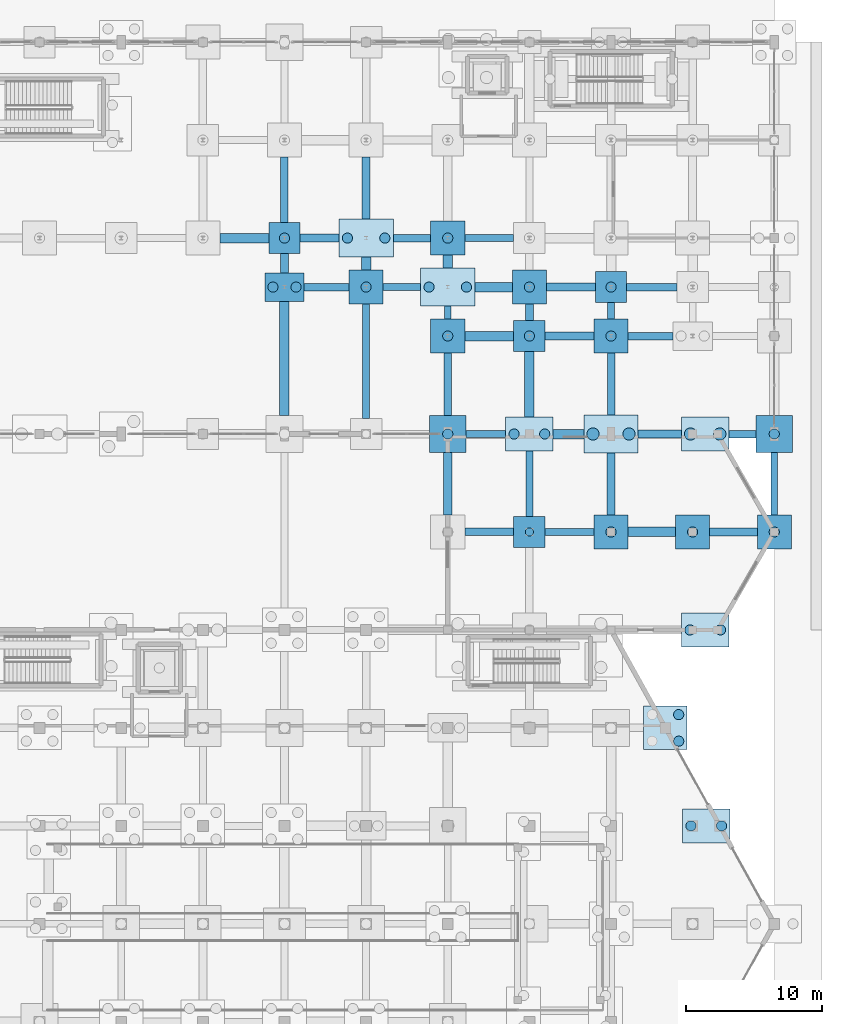
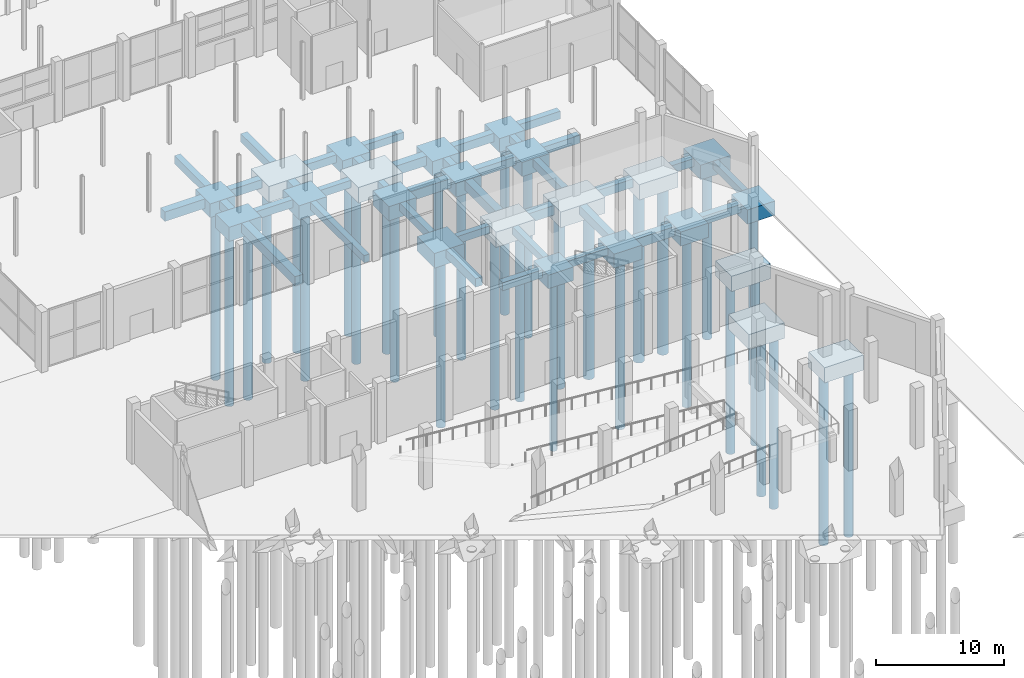
# One storey, part 11 of 103: 60 footings, 32 piles.
"""IFC4 building model written with IfcOpenShell, lengths in metres."""

from ifc_helpers import new_model, si_unit, direction, frame, origin, origin_2d, place, context, subcontext, project, spatial, rectangle, circle, extrude, material, material_profile, profile_set, type_object, element, save


model = new_model("IFC4")

# Units and contexts
model_context = context("Model", 3, precision=1e-05, world=origin(), true_north=direction((0.0, 1.0)))
body_context = subcontext(model_context, "Body", "Model", "MODEL_VIEW")
ifc_project = project(units=[si_unit("LENGTHUNIT", "METRE"), si_unit("AREAUNIT", "SQUARE_METRE"), si_unit("VOLUMEUNIT", "CUBIC_METRE"), si_unit("PLANEANGLEUNIT", "RADIAN"), si_unit("MASSUNIT", "GRAM", prefix="KILO")], contexts=[model_context])

# Site, building, storey
site_placement = place(None, origin())
site = spatial("IfcSite", under=ifc_project, at=site_placement, CompositionType="ELEMENT")
building_placement = place(site_placement, origin())
building = spatial("IfcBuilding", under=site, at=building_placement, Name="Dunvalen Ferry Terminal", CompositionType="ELEMENT")
storey_placement = place(building_placement, origin())
storey = spatial("IfcBuildingStorey", under=building, at=storey_placement, Name="L00", CompositionType="ELEMENT", Elevation=0.0)

# Footings
ifc_material = material(Name="Concrete C40/50", Category="concrete")
ifc_material_profile_1 = material_profile(ifc_material, rectangle(XDim=0.5, YDim=0.699951171875, at=origin_2d()), Name="Concrete C40/50")
ifc_profile_set_1 = profile_set([ifc_material_profile_1], Name="Concrete C40/50")
footing_type_1 = type_object("IfcFootingType", Name="STR-GB-500x700", PredefinedType="FOOTING_BEAM", material=ifc_profile_set_1)
footing_1_placement = place(storey_placement, frame((151.14990234375, 50.39990234375, -0.669921875), z_axis=(1.0, 0.0, 0.0), x_axis=(0.0, 1.0, 0.0)))
element("IfcFooting", 1, at=footing_1_placement, inside=storey, type_object=footing_type_1, Name="L00 Ground Beam X-203", PredefinedType="FOOTING_BEAM", context=body_context, shape_type="SweptSolid", body=[
    extrude(rectangle(XDim=0.5, YDim=0.699951171875, at=origin_2d()), origin(), (0.0, 0.0, 1.0), 3.60009765625),
])
footing_2_placement = place(storey_placement, frame((145.35009765625, 57.60009765625, -0.669921875), z_axis=(1.0, 0.0, 0.0), x_axis=(0.0, 1.0, 0.0)))
element("IfcFooting", 2, at=footing_2_placement, inside=storey, type_object=footing_type_1, Name="L00 Ground Beam X-223", PredefinedType="FOOTING_BEAM", context=body_context, shape_type="SweptSolid", body=[
    extrude(rectangle(XDim=0.5, YDim=0.699951171875, at=origin_2d()), origin(), (0.0, 0.0, 1.0), 2.89990234375),
])
footing_3_placement = place(storey_placement, frame((139.25, 68.39990234375, -0.669921875), z_axis=(1.0, 0.0, 0.0), x_axis=(0.0, 1.0, 0.0)))
element("IfcFooting", 3, at=footing_3_placement, inside=storey, type_object=footing_type_1, Name="L00 Ground Beam X-255", PredefinedType="FOOTING_BEAM", context=body_context, shape_type="SweptSolid", body=[
    extrude(rectangle(XDim=0.5, YDim=0.699951171875, at=origin_2d()), origin(), (0.0, 0.0, 1.0), 2.75),
])
footing_4_placement = place(storey_placement, frame((145.25, 72.0, -0.669921875), z_axis=(1.0, 0.0, 0.0), x_axis=(0.0, 1.0, 0.0)))
element("IfcFooting", 4, at=footing_4_placement, inside=storey, type_object=footing_type_1, Name="L00 Ground Beam X-283", PredefinedType="FOOTING_BEAM", context=body_context, shape_type="SweptSolid", body=[
    extrude(rectangle(XDim=0.5, YDim=0.699951171875, at=origin_2d()), origin(), (0.0, 0.0, 1.0), 3.60009765625),
])
footing_5_placement = place(storey_placement, frame((138.0, 58.75, -0.669921875), z_axis=(0.0, 1.0, 0.0), x_axis=(-1.0, 0.0, 0.0)))
element("IfcFooting", 5, at=footing_5_placement, inside=storey, type_object=footing_type_1, Name="L00 Ground Beam Y-495", PredefinedType="FOOTING_BEAM", context=body_context, shape_type="SweptSolid", body=[
    extrude(rectangle(XDim=0.5, YDim=0.699951171875, at=origin_2d()), origin(), (0.0, 0.0, 1.0), 8.39990234375),
])
footing_6_placement = place(storey_placement, frame((144.0, 66.050048828125, -0.669921875), z_axis=(0.0, 1.0, 0.0), x_axis=(-1.0, 0.0, 0.0)))
element("IfcFooting", 6, at=footing_6_placement, inside=storey, type_object=footing_type_1, Name="L00 Ground Beam Y-507", PredefinedType="FOOTING_BEAM", context=body_context, shape_type="SweptSolid", body=[
    extrude(rectangle(XDim=0.5, YDim=0.699951171875, at=origin_2d()), origin(), (0.0, 0.0, 1.0), 0.949951171875),
])
footing_7_placement = place(storey_placement, frame((150.0, 51.550048828125, -0.669921875), z_axis=(0.0, 1.0, 0.0), x_axis=(-1.0, 0.0, 0.0)))
element("IfcFooting", 7, at=footing_7_placement, inside=storey, type_object=footing_type_1, Name="L00 Ground Beam Y-515", PredefinedType="FOOTING_BEAM", context=body_context, shape_type="SweptSolid", body=[
    extrude(rectangle(XDim=0.5, YDim=0.699951171875, at=origin_2d()), origin(), (0.0, 0.0, 1.0), 4.800048828125),
])
footing_8_placement = place(storey_placement, frame((156.0, 66.050048828125, -0.669921875), z_axis=(0.0, 1.0, 0.0), x_axis=(-1.0, 0.0, 0.0)))
element("IfcFooting", 8, at=footing_8_placement, inside=storey, type_object=footing_type_1, Name="L00 Ground Beam Y-527", PredefinedType="FOOTING_BEAM", context=body_context, shape_type="SweptSolid", body=[
    extrude(rectangle(XDim=0.5, YDim=0.699951171875, at=origin_2d()), origin(), (0.0, 0.0, 1.0), 1.199951171875),
])
footing_9_placement = place(storey_placement, frame((168.0, 51.64990234375, -0.669921875), z_axis=(0.0, 1.0, 0.0), x_axis=(-1.0, 0.0, 0.0)))
element("IfcFooting", 9, at=footing_9_placement, inside=storey, type_object=footing_type_1, Name="L00 Ground Beam Y-535", PredefinedType="FOOTING_BEAM", context=body_context, shape_type="SweptSolid", body=[
    extrude(rectangle(XDim=0.5, YDim=0.699951171875, at=origin_2d()), origin(), (0.0, 0.0, 1.0), 4.60009765625),
])
ifc_material_profile_2 = material_profile(ifc_material, rectangle(XDim=0.550048828125, YDim=0.75, at=origin_2d()), Name="Concrete C40/50")
ifc_profile_set_2 = profile_set([ifc_material_profile_2], Name="Concrete C40/50")
footing_type_2 = type_object("IfcFootingType", Name="STR-GB-550x750", PredefinedType="FOOTING_BEAM", material=ifc_profile_set_2)
footing_10_placement = place(storey_placement, frame((145.25, 50.39990234375, -0.695068359375), z_axis=(1.0, 0.0, 0.0), x_axis=(0.0, 1.0, 0.0)))
element("IfcFooting", 10, at=footing_10_placement, inside=storey, type_object=footing_type_2, Name="L00 Ground Beam X-202", PredefinedType="FOOTING_BEAM", context=body_context, shape_type="SweptSolid", body=[
    extrude(rectangle(XDim=0.550048828125, YDim=0.75, at=origin_2d()), origin(), (0.0, 0.0, 1.0), 3.60009765625),
])
footing_11_placement = place(storey_placement, frame((164.67138671875, 57.60009765625, -0.695068359375), z_axis=(1.0, 0.0, 0.0), x_axis=(0.0, 1.0, 0.0)))
element("IfcFooting", 11, at=footing_11_placement, inside=storey, type_object=footing_type_2, Name="L00 Ground Beam X-226", PredefinedType="FOOTING_BEAM", context=body_context, shape_type="SweptSolid", body=[
    extrude(rectangle(XDim=0.550048828125, YDim=0.75, at=origin_2d()), origin(), (0.0, 0.0, 1.0), 1.978515625),
])
for number, where, z_axis, x_axis, name in (
    (12, (157.25, 64.800048828125, -0.695068359375), (1.0, 0.0, 0.0), (0.0, 1.0, 0.0), "L00 Ground Beam X-246"),
    (13, (133.449951171875, 68.39990234375, -0.695068359375), (1.0, 0.0, 0.0), (0.0, 1.0, 0.0), "L00 Ground Beam X-254"),
):
    element("IfcFooting", number, at=place(storey_placement, frame(where, z_axis=z_axis, x_axis=x_axis)), inside=storey, type_object=footing_type_2, Name=name, PredefinedType="FOOTING_BEAM", context=body_context, shape_type="SweptSolid", body=[
        extrude(rectangle(XDim=0.550048828125, YDim=0.75, at=origin_2d()), origin(), (0.0, 0.0, 1.0), 3.300048828125),
    ])
footing_12_placement = place(storey_placement, frame((157.14990234375, 68.39990234375, -0.695068359375), z_axis=(1.0, 0.0, 0.0), x_axis=(0.0, 1.0, 0.0)))
element("IfcFooting", 14, at=footing_12_placement, inside=storey, type_object=footing_type_2, Name="L00 Ground Beam X-258", PredefinedType="FOOTING_BEAM", context=body_context, shape_type="SweptSolid", body=[
    extrude(rectangle(XDim=0.550048828125, YDim=0.75, at=origin_2d()), origin(), (0.0, 0.0, 1.0), 3.7001953125),
])
footing_13_placement = place(storey_placement, frame((140.0, 72.0, -0.695068359375), z_axis=(1.0, 0.0, 0.0), x_axis=(0.0, 1.0, 0.0)))
element("IfcFooting", 15, at=footing_13_placement, inside=storey, type_object=footing_type_2, Name="L00 Ground Beam X-282", PredefinedType="FOOTING_BEAM", context=body_context, shape_type="SweptSolid", body=[
    extrude(rectangle(XDim=0.550048828125, YDim=0.75, at=origin_2d()), origin(), (0.0, 0.0, 1.0), 2.75),
])
footing_14_placement = place(storey_placement, frame((132.0, 73.14990234375, -0.695068359375), z_axis=(0.0, 1.0, 0.0), x_axis=(-1.0, 0.0, 0.0)))
element("IfcFooting", 16, at=footing_14_placement, inside=storey, type_object=footing_type_2, Name="L00 Ground Beam Y-486", PredefinedType="FOOTING_BEAM", context=body_context, shape_type="SweptSolid", body=[
    extrude(rectangle(XDim=0.550048828125, YDim=0.75, at=origin_2d()), origin(), (0.0, 0.0, 1.0), 4.800048828125),
])
footing_15_placement = place(storey_placement, frame((144.0, 58.949951171875, -0.695068359375), z_axis=(0.0, 1.0, 0.0), x_axis=(-1.0, 0.0, 0.0)))
element("IfcFooting", 17, at=footing_15_placement, inside=storey, type_object=footing_type_2, Name="L00 Ground Beam Y-506", PredefinedType="FOOTING_BEAM", context=body_context, shape_type="SweptSolid", body=[
    extrude(rectangle(XDim=0.550048828125, YDim=0.75, at=origin_2d()), origin(), (0.0, 0.0, 1.0), 4.60009765625),
])
footing_16_placement = place(storey_placement, frame((156.0, 59.0, -0.695068359375), z_axis=(0.0, 1.0, 0.0), x_axis=(-1.0, 0.0, 0.0)))
element("IfcFooting", 18, at=footing_16_placement, inside=storey, type_object=footing_type_2, Name="L00 Ground Beam Y-526", PredefinedType="FOOTING_BEAM", context=body_context, shape_type="SweptSolid", body=[
    extrude(rectangle(XDim=0.550048828125, YDim=0.75, at=origin_2d()), origin(), (0.0, 0.0, 1.0), 4.550048828125),
])
ifc_material_profile_3 = material_profile(ifc_material, rectangle(XDim=0.60009765625, YDim=0.800048828125, at=origin_2d()), Name="Concrete C40/50")
ifc_profile_set_3 = profile_set([ifc_material_profile_3], Name="Concrete C40/50")
footing_type_3 = type_object("IfcFootingType", Name="STR-GB-600x800", PredefinedType="FOOTING_BEAM", material=ifc_profile_set_3)
footing_17_placement = place(storey_placement, frame((163.25, 50.39990234375, -0.719970703125), z_axis=(1.0, 0.0, 0.0), x_axis=(0.0, 1.0, 0.0)))
element("IfcFooting", 19, at=footing_17_placement, inside=storey, type_object=footing_type_3, Name="L00 Ground Beam X-205", PredefinedType="FOOTING_BEAM", context=body_context, shape_type="SweptSolid", body=[
    extrude(rectangle(XDim=0.60009765625, YDim=0.800048828125, at=origin_2d()), origin(), (0.0, 0.0, 1.0), 3.5),
])
footing_18_placement = place(storey_placement, frame((158.0, 57.60009765625, -0.719970703125), z_axis=(1.0, 0.0, 0.0), x_axis=(0.0, 1.0, 0.0)))
element("IfcFooting", 20, at=footing_18_placement, inside=storey, type_object=footing_type_3, Name="L00 Ground Beam X-225", PredefinedType="FOOTING_BEAM", context=body_context, shape_type="SweptSolid", body=[
    extrude(rectangle(XDim=0.60009765625, YDim=0.800048828125, at=origin_2d()), origin(), (0.0, 0.0, 1.0), 3.17138671875),
])
for number, where, z_axis, x_axis, name in (
    (21, (151.14990234375, 64.800048828125, -0.719970703125), (1.0, 0.0, 0.0), (0.0, 1.0, 0.0), "L00 Ground Beam X-245"),
    (22, (151.25, 68.39990234375, -0.719970703125), (1.0, 0.0, 0.0), (0.0, 1.0, 0.0), "L00 Ground Beam X-257"),
):
    element("IfcFooting", number, at=place(storey_placement, frame(where, z_axis=z_axis, x_axis=x_axis)), inside=storey, type_object=footing_type_3, Name=name, PredefinedType="FOOTING_BEAM", context=body_context, shape_type="SweptSolid", body=[
        extrude(rectangle(XDim=0.60009765625, YDim=0.800048828125, at=origin_2d()), origin(), (0.0, 0.0, 1.0), 3.60009765625),
    ])
footing_19_placement = place(storey_placement, frame((133.14990234375, 72.0, -0.719970703125), z_axis=(1.0, 0.0, 0.0), x_axis=(0.0, 1.0, 0.0)))
element("IfcFooting", 23, at=footing_19_placement, inside=storey, type_object=footing_type_3, Name="L00 Ground Beam X-281", PredefinedType="FOOTING_BEAM", context=body_context, shape_type="SweptSolid", body=[
    extrude(rectangle(XDim=0.60009765625, YDim=0.800048828125, at=origin_2d()), origin(), (0.0, 0.0, 1.0), 2.85009765625),
])
footing_20_placement = place(storey_placement, frame((132.0, 69.449951171875, -0.719970703125), z_axis=(0.0, 1.0, 0.0), x_axis=(-1.0, 0.0, 0.0)))
element("IfcFooting", 24, at=footing_20_placement, inside=storey, type_object=footing_type_3, Name="L00 Ground Beam Y-485", PredefinedType="FOOTING_BEAM", context=body_context, shape_type="SweptSolid", body=[
    extrude(rectangle(XDim=0.60009765625, YDim=0.800048828125, at=origin_2d()), origin(), (0.0, 0.0, 1.0), 1.400146484375),
])
footing_21_placement = place(storey_placement, frame((138.0, 73.39990234375, -0.719970703125), z_axis=(0.0, 1.0, 0.0), x_axis=(-1.0, 0.0, 0.0)))
element("IfcFooting", 25, at=footing_21_placement, inside=storey, type_object=footing_type_3, Name="L00 Ground Beam Y-497", PredefinedType="FOOTING_BEAM", context=body_context, shape_type="SweptSolid", body=[
    extrude(rectangle(XDim=0.60009765625, YDim=0.800048828125, at=origin_2d()), origin(), (0.0, 0.0, 1.0), 4.550048828125),
])
footing_22_placement = place(storey_placement, frame((144.0, 51.64990234375, -0.719970703125), z_axis=(0.0, 1.0, 0.0), x_axis=(-1.0, 0.0, 0.0)))
element("IfcFooting", 26, at=footing_22_placement, inside=storey, type_object=footing_type_3, Name="L00 Ground Beam Y-505", PredefinedType="FOOTING_BEAM", context=body_context, shape_type="SweptSolid", body=[
    extrude(rectangle(XDim=0.60009765625, YDim=0.800048828125, at=origin_2d()), origin(), (0.0, 0.0, 1.0), 4.60009765625),
])
footing_23_placement = place(storey_placement, frame((150.0, 65.949951171875, -0.719970703125), z_axis=(0.0, 1.0, 0.0), x_axis=(-1.0, 0.0, 0.0)))
element("IfcFooting", 27, at=footing_23_placement, inside=storey, type_object=footing_type_3, Name="L00 Ground Beam Y-517", PredefinedType="FOOTING_BEAM", context=body_context, shape_type="SweptSolid", body=[
    extrude(rectangle(XDim=0.60009765625, YDim=0.800048828125, at=origin_2d()), origin(), (0.0, 0.0, 1.0), 1.199951171875),
])
footing_24_placement = place(storey_placement, frame((156.0, 51.64990234375, -0.719970703125), z_axis=(0.0, 1.0, 0.0), x_axis=(-1.0, 0.0, 0.0)))
element("IfcFooting", 28, at=footing_24_placement, inside=storey, type_object=footing_type_3, Name="L00 Ground Beam Y-525", PredefinedType="FOOTING_BEAM", context=body_context, shape_type="SweptSolid", body=[
    extrude(rectangle(XDim=0.60009765625, YDim=0.800048828125, at=origin_2d()), origin(), (0.0, 0.0, 1.0), 4.550048828125),
])
ifc_material_profile_4 = material_profile(ifc_material, rectangle(XDim=0.699951171875, YDim=0.89990234375, at=origin_2d()), Name="Concrete C40/50")
ifc_profile_set_4 = profile_set([ifc_material_profile_4], Name="Concrete C40/50")
footing_type_4 = type_object("IfcFootingType", Name="STR-GB-700x900", PredefinedType="FOOTING_BEAM", material=ifc_profile_set_4)
footing_25_placement = place(storey_placement, frame((157.25, 50.39990234375, -0.77001953125), z_axis=(1.0, 0.0, 0.0), x_axis=(0.0, 1.0, 0.0)))
element("IfcFooting", 29, at=footing_25_placement, inside=storey, type_object=footing_type_4, Name="L00 Ground Beam X-204", PredefinedType="FOOTING_BEAM", context=body_context, shape_type="SweptSolid", body=[
    extrude(rectangle(XDim=0.699951171875, YDim=0.89990234375, at=origin_2d()), origin(), (0.0, 0.0, 1.0), 3.5),
])
footing_26_placement = place(storey_placement, frame((151.75, 57.60009765625, -0.77001953125), z_axis=(1.0, 0.0, 0.0), x_axis=(0.0, 1.0, 0.0)))
element("IfcFooting", 30, at=footing_26_placement, inside=storey, type_object=footing_type_4, Name="L00 Ground Beam X-224", PredefinedType="FOOTING_BEAM", context=body_context, shape_type="SweptSolid", body=[
    extrude(rectangle(XDim=0.699951171875, YDim=0.89990234375, at=origin_2d()), origin(), (0.0, 0.0, 1.0), 2.25),
])
footing_27_placement = place(storey_placement, frame((145.25, 64.800048828125, -0.77001953125), z_axis=(1.0, 0.0, 0.0), x_axis=(0.0, 1.0, 0.0)))
element("IfcFooting", 31, at=footing_27_placement, inside=storey, type_object=footing_type_4, Name="L00 Ground Beam X-244", PredefinedType="FOOTING_BEAM", context=body_context, shape_type="SweptSolid", body=[
    extrude(rectangle(XDim=0.699951171875, YDim=0.89990234375, at=origin_2d()), origin(), (0.0, 0.0, 1.0), 3.60009765625),
])
footing_28_placement = place(storey_placement, frame((146.0, 68.39990234375, -0.77001953125), z_axis=(1.0, 0.0, 0.0), x_axis=(0.0, 1.0, 0.0)))
element("IfcFooting", 32, at=footing_28_placement, inside=storey, type_object=footing_type_4, Name="L00 Ground Beam X-256", PredefinedType="FOOTING_BEAM", context=body_context, shape_type="SweptSolid", body=[
    extrude(rectangle(XDim=0.699951171875, YDim=0.89990234375, at=origin_2d()), origin(), (0.0, 0.0, 1.0), 2.75),
])
footing_29_placement = place(storey_placement, frame((127.25, 72.0, -0.77001953125), z_axis=(1.0, 0.0, 0.0), x_axis=(0.0, 1.0, 0.0)))
element("IfcFooting", 33, at=footing_29_placement, inside=storey, type_object=footing_type_4, Name="L00 Ground Beam X-280", PredefinedType="FOOTING_BEAM", context=body_context, shape_type="SweptSolid", body=[
    extrude(rectangle(XDim=0.699951171875, YDim=0.89990234375, at=origin_2d()), origin(), (0.0, 0.0, 1.0), 3.60009765625),
])
footing_30_placement = place(storey_placement, frame((132.0, 58.949951171875, -0.77001953125), z_axis=(0.0, 1.0, 0.0), x_axis=(-1.0, 0.0, 0.0)))
element("IfcFooting", 34, at=footing_30_placement, inside=storey, type_object=footing_type_4, Name="L00 Ground Beam Y-484", PredefinedType="FOOTING_BEAM", context=body_context, shape_type="SweptSolid", body=[
    extrude(rectangle(XDim=0.699951171875, YDim=0.89990234375, at=origin_2d()), origin(), (0.0, 0.0, 1.0), 8.400146484375),
])
footing_31_placement = place(storey_placement, frame((138.0, 69.64990234375, -0.77001953125), z_axis=(0.0, 1.0, 0.0), x_axis=(-1.0, 0.0, 0.0)))
element("IfcFooting", 35, at=footing_31_placement, inside=storey, type_object=footing_type_4, Name="L00 Ground Beam Y-496", PredefinedType="FOOTING_BEAM", context=body_context, shape_type="SweptSolid", body=[
    extrude(rectangle(XDim=0.699951171875, YDim=0.89990234375, at=origin_2d()), origin(), (0.0, 0.0, 1.0), 0.9501953125),
])
footing_32_placement = place(storey_placement, frame((144.0, 69.800048828125, -0.77001953125), z_axis=(0.0, 1.0, 0.0), x_axis=(-1.0, 0.0, 0.0)))
element("IfcFooting", 36, at=footing_32_placement, inside=storey, type_object=footing_type_4, Name="L00 Ground Beam Y-508", PredefinedType="FOOTING_BEAM", context=body_context, shape_type="SweptSolid", body=[
    extrude(rectangle(XDim=0.699951171875, YDim=0.89990234375, at=origin_2d()), origin(), (0.0, 0.0, 1.0), 0.949951171875),
])
footing_33_placement = place(storey_placement, frame((150.0, 58.85009765625, -0.77001953125), z_axis=(0.0, 1.0, 0.0), x_axis=(-1.0, 0.0, 0.0)))
element("IfcFooting", 37, at=footing_33_placement, inside=storey, type_object=footing_type_4, Name="L00 Ground Beam Y-516", PredefinedType="FOOTING_BEAM", context=body_context, shape_type="SweptSolid", body=[
    extrude(rectangle(XDim=0.699951171875, YDim=0.89990234375, at=origin_2d()), origin(), (0.0, 0.0, 1.0), 4.7998046875),
])
footing_type_5 = type_object("IfcFootingType", Name="STR-PC-04", PredefinedType="PILE_CAP", material=ifc_material)
for number, where, z_axis, x_axis, name in (
    (38, (132.0, 72.0, -1.6201171875), (0.0, 0.0, 1.0), (1.0, 0.0, 0.0), "L00 Pile Cap 199"),
    (39, (150.0, 50.39990234375, -1.6201171875), (0.0, 0.0, 1.0), (1.0, 0.0, 0.0), "L00 Pile Cap 245"),
    (40, (150.0, 64.800048828125, -1.6201171875), (0.0, 0.0, 1.0), (1.0, 0.0, 0.0), "L00 Pile Cap 247"),
    (41, (156.0, 68.39990234375, -1.6201171875), (0.0, 0.0, 1.0), (1.0, 0.0, 0.0), "L00 Pile Cap 263"),
):
    element("IfcFooting", number, at=place(storey_placement, frame(where, z_axis=z_axis, x_axis=x_axis)), inside=storey, type_object=footing_type_5, Name=name, PredefinedType="PILE_CAP", context=body_context, shape_type="SweptSolid", body=[
        extrude(rectangle(XDim=2.300048828125, YDim=2.300048828125, at=origin_2d()), origin(), (0.0, 0.0, 1.0), 1.300048828125),
    ])
footing_type_6 = type_object("IfcFootingType", Name="STR-PC-05", PredefinedType="PILE_CAP", material=ifc_material)
for number, where, z_axis, x_axis, name in (
    (42, (138.0, 68.39990234375, -1.670166015625), (0.0, 0.0, 1.0), (1.0, 0.0, 0.0), "L00 Pile Cap 212"),
    (43, (144.0, 64.800048828125, -1.670166015625), (0.0, 0.0, 1.0), (1.0, 0.0, 0.0), "L00 Pile Cap 231"),
    (44, (144.0, 72.0, -1.670166015625), (0.0, 0.0, 1.0), (1.0, 0.0, 0.0), "L00 Pile Cap 233"),
    (45, (150.0, 68.39990234375, -1.670166015625), (0.0, 0.0, 1.0), (1.0, 0.0, 0.0), "L00 Pile Cap 248"),
    (46, (156.0, 50.39990234375, -1.670166015625), (0.0, 0.0, 1.0), (1.0, 0.0, 0.0), "L00 Pile Cap 260"),
    (47, (156.0, 64.800048828125, -1.670166015625), (0.0, 0.0, 1.0), (1.0, 0.0, 0.0), "L00 Pile Cap 262"),
    (48, (162.0, 50.39990234375, -1.670166015625), (0.0, 0.0, 1.0), (1.0, 0.0, 0.0), "L00 Pile Cap 274"),
    (49, (168.0, 50.39990234375, -1.670166015625), (0.0, 0.0, 1.0), (1.0, 0.0, 0.0), "L00 Pile Cap 282"),
):
    element("IfcFooting", number, at=place(storey_placement, frame(where, z_axis=z_axis, x_axis=x_axis)), inside=storey, type_object=footing_type_6, Name=name, PredefinedType="PILE_CAP", context=body_context, shape_type="SweptSolid", body=[
        extrude(rectangle(XDim=2.5, YDim=2.5, at=origin_2d()), origin(), (0.0, 0.0, 1.0), 1.35009765625),
    ])
footing_type_7 = type_object("IfcFootingType", Name="STR-PC-06", PredefinedType="PILE_CAP", material=ifc_material)
for number, where, z_axis, x_axis, name in (
    (50, (144.0, 57.60009765625, -1.719970703125), (0.0, 0.0, 1.0), (1.0, 0.0, 0.0), "L00 Pile Cap 230"),
    (51, (168.0, 57.60009765625, -1.719970703125), (0.0, 0.0, 1.0), (1.0, 0.0, 0.0), "L00 Pile Cap 283"),
):
    element("IfcFooting", number, at=place(storey_placement, frame(where, z_axis=z_axis, x_axis=x_axis)), inside=storey, type_object=footing_type_7, Name=name, PredefinedType="PILE_CAP", context=body_context, shape_type="SweptSolid", body=[
        extrude(rectangle(XDim=2.699951171875, YDim=2.699951171875, at=origin_2d()), origin(), (0.0, 0.0, 1.0), 1.39990234375),
    ])
footing_type_8 = type_object("IfcFootingType", Name="STR-PC-07", PredefinedType="PILE_CAP", material=ifc_material)
footing_34_placement = place(storey_placement, frame((132.0, 68.39990234375, -1.670166015625), z_axis=(0.0, 0.0, 1.0), x_axis=(1.0, 0.0, 0.0)))
element("IfcFooting", 52, at=footing_34_placement, inside=storey, type_object=footing_type_8, Name="L00 Pile Cap 198", PredefinedType="PILE_CAP", context=body_context, shape_type="SweptSolid", body=[
    extrude(rectangle(XDim=2.89990234375, YDim=2.10009765625, at=origin_2d()), origin(), (0.0, 0.0, 1.0), 1.35009765625),
])
footing_type_9 = type_object("IfcFootingType", Name="STR-PC-09", PredefinedType="PILE_CAP", material=ifc_material)
footing_35_placement = place(storey_placement, frame((160.0, 36.0, -1.77001953125), z_axis=(0.0, 0.0, 1.0), x_axis=(1.0, 0.0, 0.0)))
element("IfcFooting", 53, at=footing_35_placement, inside=storey, type_object=footing_type_9, Name="L00 Pile Cap 268", PredefinedType="PILE_CAP", context=body_context, shape_type="SweptSolid", body=[
    extrude(rectangle(XDim=3.199951171875, YDim=3.199951171875, at=origin_2d()), origin(), (0.0, 0.0, 1.0), 1.449951171875),
])
footing_type_10 = type_object("IfcFootingType", Name="STR-PC-10", PredefinedType="PILE_CAP", material=ifc_material)
for number, where, z_axis, x_axis, name in (
    (54, (150.0, 57.60009765625, -1.77001953125), (0.0, 0.0, 1.0), (1.0, 0.0, 0.0), "L00 Pile Cap 246"),
    (55, (163.0, 28.800048828125, -1.77001953125), (0.0, 0.0, 1.0), (1.0, 0.0, 0.0), "L00 Pile Cap 272"),
    (56, (162.92138671875, 43.199951171875, -1.77001953125), (0.0, 0.0, 1.0), (1.0, 0.0, 0.0), "L00 Pile Cap 273"),
    (57, (162.92138671875, 57.60009765625, -1.77001953125), (0.0, 0.0, 1.0), (1.0, 0.0, 0.0), "L00 Pile Cap 275"),
):
    element("IfcFooting", number, at=place(storey_placement, frame(where, z_axis=z_axis, x_axis=x_axis)), inside=storey, type_object=footing_type_10, Name=name, PredefinedType="PILE_CAP", context=body_context, shape_type="SweptSolid", body=[
        extrude(rectangle(XDim=3.5, YDim=2.5, at=origin_2d()), origin(), (0.0, 0.0, 1.0), 1.449951171875),
    ])
footing_type_11 = type_object("IfcFootingType", Name="STR-PC-12", PredefinedType="PILE_CAP", material=ifc_material)
for number, where, z_axis, x_axis, name in (
    (58, (138.0, 72.0, -1.820068359375), (0.0, 0.0, 1.0), (1.0, 0.0, 0.0), "L00 Pile Cap 213"),
    (59, (144.0, 68.39990234375, -1.820068359375), (0.0, 0.0, 1.0), (1.0, 0.0, 0.0), "L00 Pile Cap 232"),
    (60, (156.0, 57.60009765625, -1.820068359375), (0.0, 0.0, 1.0), (1.0, 0.0, 0.0), "L00 Pile Cap 261"),
):
    element("IfcFooting", number, at=place(storey_placement, frame(where, z_axis=z_axis, x_axis=x_axis)), inside=storey, type_object=footing_type_11, Name=name, PredefinedType="PILE_CAP", context=body_context, shape_type="SweptSolid", body=[
        extrude(rectangle(XDim=4.0, YDim=2.800048828125, at=origin_2d()), origin(), (0.0, 0.0, 1.0), 1.5),
    ])

# Piles
ifc_material_profile_5 = material_profile(ifc_material, circle(Radius=0.300048828125, at=origin_2d()), Name="Concrete C40/50")
ifc_profile_set_5 = profile_set([ifc_material_profile_5], Name="Concrete C40/50")
pile_type_1 = type_object("IfcPileType", Name="STR-PILE-P600", PredefinedType="BORED", material=ifc_profile_set_5)
pile_1_placement = place(storey_placement, frame((150.0, 50.39990234375, -1.52001953125), z_axis=(0.0, 0.0, -1.0), x_axis=(1.0, 0.0, 0.0)))
element("IfcPile", 61, at=pile_1_placement, inside=storey, type_object=pile_type_1, Name="L00 Bored Pile 245.1", PredefinedType="BORED", context=body_context, shape_type="SweptSolid", body=[
    extrude(circle(Radius=0.300048828125, at=origin_2d()), origin(), (0.0, 0.0, 1.0), 16.47998046875),
])
ifc_material_profile_6 = material_profile(ifc_material, circle(Radius=0.375, at=origin_2d()), Name="Concrete C40/50")
ifc_profile_set_6 = profile_set([ifc_material_profile_6], Name="Concrete C40/50")
pile_type_2 = type_object("IfcPileType", Name="STR-PILE-P750", PredefinedType="BORED", material=ifc_profile_set_6)
for number, where, z_axis, x_axis, name in (
    (62, (131.14990234375, 68.39990234375, -1.570068359375), (0.0, 0.0, -1.0), (1.0, 0.0, 0.0), "L00 Bored Pile 198.1"),
    (63, (132.85009765625, 68.39990234375, -1.570068359375), (0.0, 0.0, -1.0), (1.0, 0.0, 0.0), "L00 Bored Pile 198.2"),
):
    element("IfcPile", number, at=place(storey_placement, frame(where, z_axis=z_axis, x_axis=x_axis)), inside=storey, type_object=pile_type_2, Name=name, PredefinedType="BORED", context=body_context, shape_type="SweptSolid", body=[
        extrude(circle(Radius=0.375, at=origin_2d()), origin(), (0.0, 0.0, 1.0), 16.429931640625),
    ])
pile_2_placement = place(storey_placement, frame((132.0, 72.0, -1.52001953125), z_axis=(0.0, 0.0, -1.0), x_axis=(1.0, 0.0, 0.0)))
element("IfcPile", 64, at=pile_2_placement, inside=storey, type_object=pile_type_2, Name="L00 Bored Pile 199.1", PredefinedType="BORED", context=body_context, shape_type="SweptSolid", body=[
    extrude(circle(Radius=0.375, at=origin_2d()), origin(), (0.0, 0.0, 1.0), 16.47998046875),
])
pile_3_placement = place(storey_placement, frame((138.0, 68.39990234375, -1.570068359375), z_axis=(0.0, 0.0, -1.0), x_axis=(1.0, 0.0, 0.0)))
element("IfcPile", 65, at=pile_3_placement, inside=storey, type_object=pile_type_2, Name="L00 Bored Pile 212.1", PredefinedType="BORED", context=body_context, shape_type="SweptSolid", body=[
    extrude(circle(Radius=0.375, at=origin_2d()), origin(), (0.0, 0.0, 1.0), 16.429931640625),
])
for number, where, z_axis, x_axis, name in (
    (66, (136.625, 72.0, -1.719970703125), (0.0, 0.0, -1.0), (1.0, 0.0, 0.0), "L00 Bored Pile 213.1"),
    (67, (139.375, 72.0, -1.719970703125), (0.0, 0.0, -1.0), (1.0, 0.0, 0.0), "L00 Bored Pile 213.2"),
):
    element("IfcPile", number, at=place(storey_placement, frame(where, z_axis=z_axis, x_axis=x_axis)), inside=storey, type_object=pile_type_2, Name=name, PredefinedType="BORED", context=body_context, shape_type="SweptSolid", body=[
        extrude(circle(Radius=0.375, at=origin_2d()), origin(), (0.0, 0.0, 1.0), 16.280029296875),
    ])
pile_4_placement = place(storey_placement, frame((144.0, 57.60009765625, -1.6201171875), z_axis=(0.0, 0.0, -1.0), x_axis=(1.0, 0.0, 0.0)))
element("IfcPile", 68, at=pile_4_placement, inside=storey, type_object=pile_type_2, Name="L00 Bored Pile 230.1", PredefinedType="BORED", context=body_context, shape_type="SweptSolid", body=[
    extrude(circle(Radius=0.375, at=origin_2d()), origin(), (0.0, 0.0, 1.0), 16.3798828125),
])
pile_5_placement = place(storey_placement, frame((144.0, 64.800048828125, -1.570068359375), z_axis=(0.0, 0.0, -1.0), x_axis=(1.0, 0.0, 0.0)))
element("IfcPile", 69, at=pile_5_placement, inside=storey, type_object=pile_type_2, Name="L00 Bored Pile 231.1", PredefinedType="BORED", context=body_context, shape_type="SweptSolid", body=[
    extrude(circle(Radius=0.375, at=origin_2d()), origin(), (0.0, 0.0, 1.0), 16.429931640625),
])
for number, where, z_axis, x_axis, name in (
    (70, (142.625, 68.39990234375, -1.719970703125), (0.0, 0.0, -1.0), (1.0, 0.0, 0.0), "L00 Bored Pile 232.1"),
    (71, (145.375, 68.39990234375, -1.719970703125), (0.0, 0.0, -1.0), (1.0, 0.0, 0.0), "L00 Bored Pile 232.2"),
):
    element("IfcPile", number, at=place(storey_placement, frame(where, z_axis=z_axis, x_axis=x_axis)), inside=storey, type_object=pile_type_2, Name=name, PredefinedType="BORED", context=body_context, shape_type="SweptSolid", body=[
        extrude(circle(Radius=0.375, at=origin_2d()), origin(), (0.0, 0.0, 1.0), 16.280029296875),
    ])
pile_6_placement = place(storey_placement, frame((144.0, 72.0, -1.570068359375), z_axis=(0.0, 0.0, -1.0), x_axis=(1.0, 0.0, 0.0)))
element("IfcPile", 72, at=pile_6_placement, inside=storey, type_object=pile_type_2, Name="L00 Bored Pile 233.1", PredefinedType="BORED", context=body_context, shape_type="SweptSolid", body=[
    extrude(circle(Radius=0.375, at=origin_2d()), origin(), (0.0, 0.0, 1.0), 16.429931640625),
])
for number, where, z_axis, x_axis, name in (
    (73, (148.875, 57.60009765625, -1.669921875), (0.0, 0.0, -1.0), (1.0, 0.0, 0.0), "L00 Bored Pile 246.1"),
    (74, (151.125, 57.60009765625, -1.669921875), (0.0, 0.0, -1.0), (1.0, 0.0, 0.0), "L00 Bored Pile 246.2"),
):
    element("IfcPile", number, at=place(storey_placement, frame(where, z_axis=z_axis, x_axis=x_axis)), inside=storey, type_object=pile_type_2, Name=name, PredefinedType="BORED", context=body_context, shape_type="SweptSolid", body=[
        extrude(circle(Radius=0.375, at=origin_2d()), origin(), (0.0, 0.0, 1.0), 16.330078125),
    ])
pile_7_placement = place(storey_placement, frame((150.0, 64.800048828125, -1.52001953125), z_axis=(0.0, 0.0, -1.0), x_axis=(1.0, 0.0, 0.0)))
element("IfcPile", 75, at=pile_7_placement, inside=storey, type_object=pile_type_2, Name="L00 Bored Pile 247.1", PredefinedType="BORED", context=body_context, shape_type="SweptSolid", body=[
    extrude(circle(Radius=0.375, at=origin_2d()), origin(), (0.0, 0.0, 1.0), 16.47998046875),
])
for number, where, z_axis, x_axis, name in (
    (76, (150.0, 68.39990234375, -1.570068359375), (0.0, 0.0, -1.0), (1.0, 0.0, 0.0), "L00 Bored Pile 248.1"),
    (77, (156.0, 50.39990234375, -1.570068359375), (0.0, 0.0, -1.0), (1.0, 0.0, 0.0), "L00 Bored Pile 260.1"),
    (78, (156.0, 64.800048828125, -1.570068359375), (0.0, 0.0, -1.0), (1.0, 0.0, 0.0), "L00 Bored Pile 262.1"),
):
    element("IfcPile", number, at=place(storey_placement, frame(where, z_axis=z_axis, x_axis=x_axis)), inside=storey, type_object=pile_type_2, Name=name, PredefinedType="BORED", context=body_context, shape_type="SweptSolid", body=[
        extrude(circle(Radius=0.375, at=origin_2d()), origin(), (0.0, 0.0, 1.0), 16.429931640625),
    ])
pile_8_placement = place(storey_placement, frame((156.0, 68.39990234375, -1.52001953125), z_axis=(0.0, 0.0, -1.0), x_axis=(1.0, 0.0, 0.0)))
element("IfcPile", 79, at=pile_8_placement, inside=storey, type_object=pile_type_2, Name="L00 Bored Pile 263.1", PredefinedType="BORED", context=body_context, shape_type="SweptSolid", body=[
    extrude(circle(Radius=0.375, at=origin_2d()), origin(), (0.0, 0.0, 1.0), 16.47998046875),
])
for number, where, z_axis, x_axis, name in (
    (80, (160.97509765625, 35.02490234375, -1.669921875), (0.0, 0.0, -1.0), (1.0, 0.0, 0.0), "L00 Bored Pile 268.2"),
    (81, (160.97509765625, 36.97509765625, -1.669921875), (0.0, 0.0, -1.0), (1.0, 0.0, 0.0), "L00 Bored Pile 268.4"),
    (82, (161.875, 28.800048828125, -1.669921875), (0.0, 0.0, -1.0), (1.0, 0.0, 0.0), "L00 Bored Pile 272.1"),
    (83, (164.125, 28.800048828125, -1.669921875), (0.0, 0.0, -1.0), (1.0, 0.0, 0.0), "L00 Bored Pile 272.2"),
    (84, (161.79638671875, 43.199951171875, -1.669921875), (0.0, 0.0, -1.0), (1.0, 0.0, 0.0), "L00 Bored Pile 273.1"),
    (85, (164.04638671875, 43.199951171875, -1.669921875), (0.0, 0.0, -1.0), (1.0, 0.0, 0.0), "L00 Bored Pile 273.2"),
):
    element("IfcPile", number, at=place(storey_placement, frame(where, z_axis=z_axis, x_axis=x_axis)), inside=storey, type_object=pile_type_2, Name=name, PredefinedType="BORED", context=body_context, shape_type="SweptSolid", body=[
        extrude(circle(Radius=0.375, at=origin_2d()), origin(), (0.0, 0.0, 1.0), 16.330078125),
    ])
for number, where, z_axis, x_axis, name in (
    (86, (162.0, 50.39990234375, -1.570068359375), (0.0, 0.0, -1.0), (1.0, 0.0, 0.0), "L00 Bored Pile 274.1"),
    (87, (168.0, 50.39990234375, -1.570068359375), (0.0, 0.0, -1.0), (1.0, 0.0, 0.0), "L00 Bored Pile 282.1"),
):
    element("IfcPile", number, at=place(storey_placement, frame(where, z_axis=z_axis, x_axis=x_axis)), inside=storey, type_object=pile_type_2, Name=name, PredefinedType="BORED", context=body_context, shape_type="SweptSolid", body=[
        extrude(circle(Radius=0.375, at=origin_2d()), origin(), (0.0, 0.0, 1.0), 16.429931640625),
    ])
pile_9_placement = place(storey_placement, frame((168.0, 57.60009765625, -1.6201171875), z_axis=(0.0, 0.0, -1.0), x_axis=(1.0, 0.0, 0.0)))
element("IfcPile", 88, at=pile_9_placement, inside=storey, type_object=pile_type_2, Name="L00 Bored Pile 283.1", PredefinedType="BORED", context=body_context, shape_type="SweptSolid", body=[
    extrude(circle(Radius=0.375, at=origin_2d()), origin(), (0.0, 0.0, 1.0), 16.3798828125),
])
ifc_material_profile_7 = material_profile(ifc_material, circle(Radius=0.449951171875, at=origin_2d()), Name="Concrete C40/50")
ifc_profile_set_7 = profile_set([ifc_material_profile_7], Name="Concrete C40/50")
pile_type_3 = type_object("IfcPileType", Name="STR-PILE-P900", PredefinedType="BORED", material=ifc_profile_set_7)
for number, where, z_axis, x_axis, name in (
    (89, (154.675048828125, 57.60009765625, -1.719970703125), (0.0, 0.0, -1.0), (1.0, 0.0, 0.0), "L00 Bored Pile 261.1"),
    (90, (157.324951171875, 57.60009765625, -1.719970703125), (0.0, 0.0, -1.0), (1.0, 0.0, 0.0), "L00 Bored Pile 261.2"),
):
    element("IfcPile", number, at=place(storey_placement, frame(where, z_axis=z_axis, x_axis=x_axis)), inside=storey, type_object=pile_type_3, Name=name, PredefinedType="BORED", context=body_context, shape_type="SweptSolid", body=[
        extrude(circle(Radius=0.449951171875, at=origin_2d()), origin(), (0.0, 0.0, 1.0), 16.280029296875),
    ])
for number, where, z_axis, x_axis, name in (
    (91, (161.846435546875, 57.60009765625, -1.669921875), (0.0, 0.0, -1.0), (1.0, 0.0, 0.0), "L00 Bored Pile 275.1"),
    (92, (163.99658203125, 57.60009765625, -1.669921875), (0.0, 0.0, -1.0), (1.0, 0.0, 0.0), "L00 Bored Pile 275.2"),
):
    element("IfcPile", number, at=place(storey_placement, frame(where, z_axis=z_axis, x_axis=x_axis)), inside=storey, type_object=pile_type_3, Name=name, PredefinedType="BORED", context=body_context, shape_type="SweptSolid", body=[
        extrude(circle(Radius=0.449951171875, at=origin_2d()), origin(), (0.0, 0.0, 1.0), 16.330078125),
    ])

save(model, "model.ifc")
